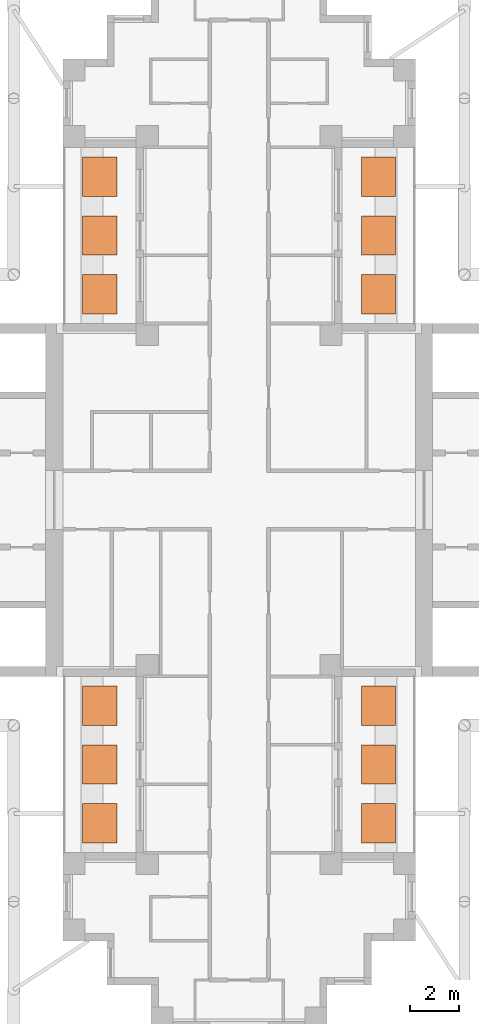
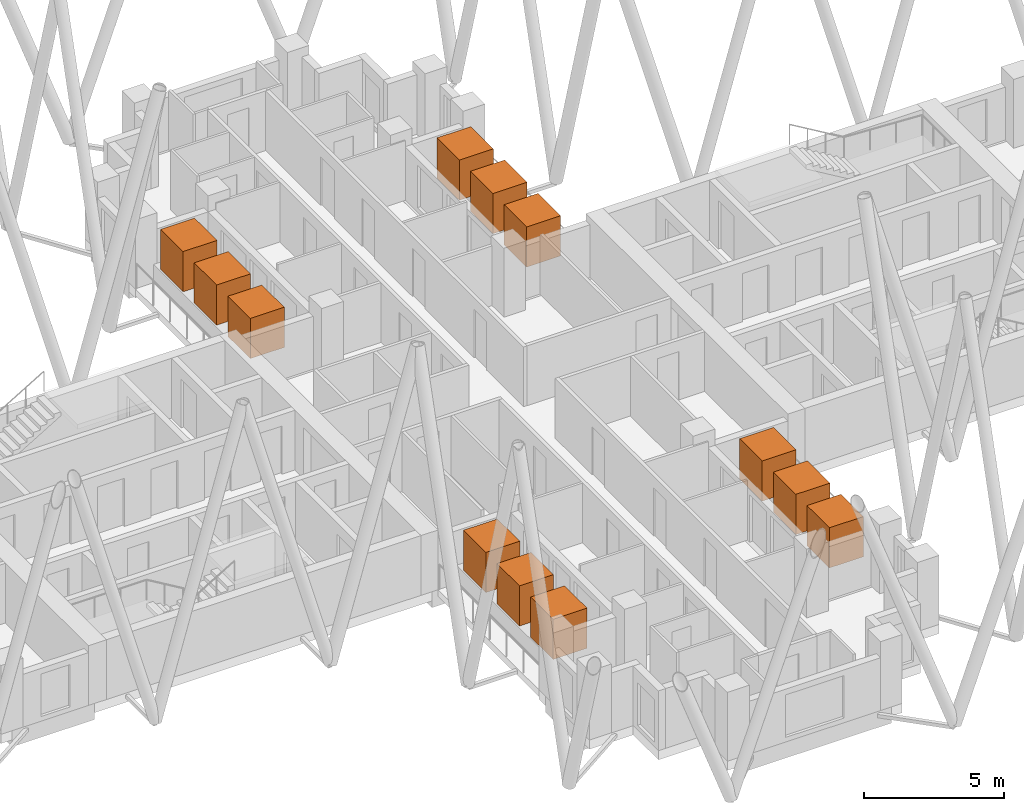
# One storey, part 11 of 11: 12 geographic elements.
"""IFC4 building model written with IfcOpenShell, lengths in metres."""

from ifc_helpers import new_model, si_unit, direction, frame, origin, origin_2d, place, context, subcontext, project, spatial, rectangle, extrude, material, element, save


model = new_model("IFC4")

# Units and contexts
model_context = context("Model", 3, precision=1e-05, world=origin(), true_north=direction((0.0, 1.0)))
body_context = subcontext(model_context, "Body", "Model", "MODEL_VIEW")
ifc_project = project(units=[si_unit("LENGTHUNIT", "METRE"), si_unit("AREAUNIT", "SQUARE_METRE"), si_unit("VOLUMEUNIT", "CUBIC_METRE"), si_unit("PLANEANGLEUNIT", "RADIAN"), si_unit("MASSUNIT", "GRAM", prefix="KILO")], contexts=[model_context])

# Site, building, storey
site_placement = place(None, origin())
site = spatial("IfcSite", under=ifc_project, at=site_placement, CompositionType="ELEMENT")
building_placement = place(site_placement, origin())
building = spatial("IfcBuilding", under=site, at=building_placement, Name="Fustian Cross Tower", CompositionType="ELEMENT")
storey_placement = place(building_placement, frame((0.0, 0.0, 234.89990234375)))
storey = spatial("IfcBuildingStorey", under=building, at=storey_placement, Name="L74", CompositionType="ELEMENT", Elevation=234.89990234375)

# Geographic elements
ifc_material = material(Name="Evergreen foliage")
for number, where, z_axis, x_axis, name in (
    (1, (5.68994140625, 8.39990234375, 0.800048828125), (0.0, 0.0, 1.0), (1.0, 0.0, 0.0), "TREE field maple"),
    (2, (5.68994140625, 10.800048828125, 0.800048828125), (0.0, 0.0, 1.0), (1.0, 0.0, 0.0), "TREE field maple"),
    (3, (5.68994140625, 13.199951171875, 0.800048828125), (0.0, 0.0, 1.0), (1.0, 0.0, 0.0), "TREE field maple"),
    (4, (-5.68994140625, 8.39990234375, 0.800048828125), (0.0, 0.0, 1.0), (1.0, 0.0, 0.0), "TREE field maple"),
    (5, (-5.68994140625, 10.800048828125, 0.800048828125), (0.0, 0.0, 1.0), (1.0, 0.0, 0.0), "TREE field maple"),
    (6, (-5.68994140625, 13.199951171875, 0.800048828125), (0.0, 0.0, 1.0), (1.0, 0.0, 0.0), "TREE field maple"),
    (7, (5.68994140625, -13.199951171875, 0.800048828125), (0.0, 0.0, 1.0), (1.0, 0.0, 0.0), "TREE field maple"),
    (8, (5.68994140625, -10.800048828125, 0.800048828125), (0.0, 0.0, 1.0), (1.0, 0.0, 0.0), "TREE field maple"),
    (9, (5.68994140625, -8.39990234375, 0.800048828125), (0.0, 0.0, 1.0), (1.0, 0.0, 0.0), "TREE field maple"),
    (10, (-5.68994140625, -13.199951171875, 0.800048828125), (0.0, 0.0, 1.0), (1.0, 0.0, 0.0), "TREE field maple"),
    (11, (-5.68994140625, -10.800048828125, 0.800048828125), (0.0, 0.0, 1.0), (1.0, 0.0, 0.0), "TREE field maple"),
    (12, (-5.68994140625, -8.39990234375, 0.800048828125), (0.0, 0.0, 1.0), (1.0, 0.0, 0.0), "TREE field maple"),
):
    element("IfcGeographicElement", number, at=place(storey_placement, frame(where, z_axis=z_axis, x_axis=x_axis)), inside=storey, material=ifc_material, Name=name, ObjectType="VEGETATION", PredefinedType="USERDEFINED", context=body_context, shape_type="SweptSolid", body=[
        extrude(rectangle(XDim=1.39990234375, YDim=1.60009765625, at=origin_2d()), origin(), (0.0, 0.0, 1.0), 1.75),
    ])

save(model, "model.ifc")
